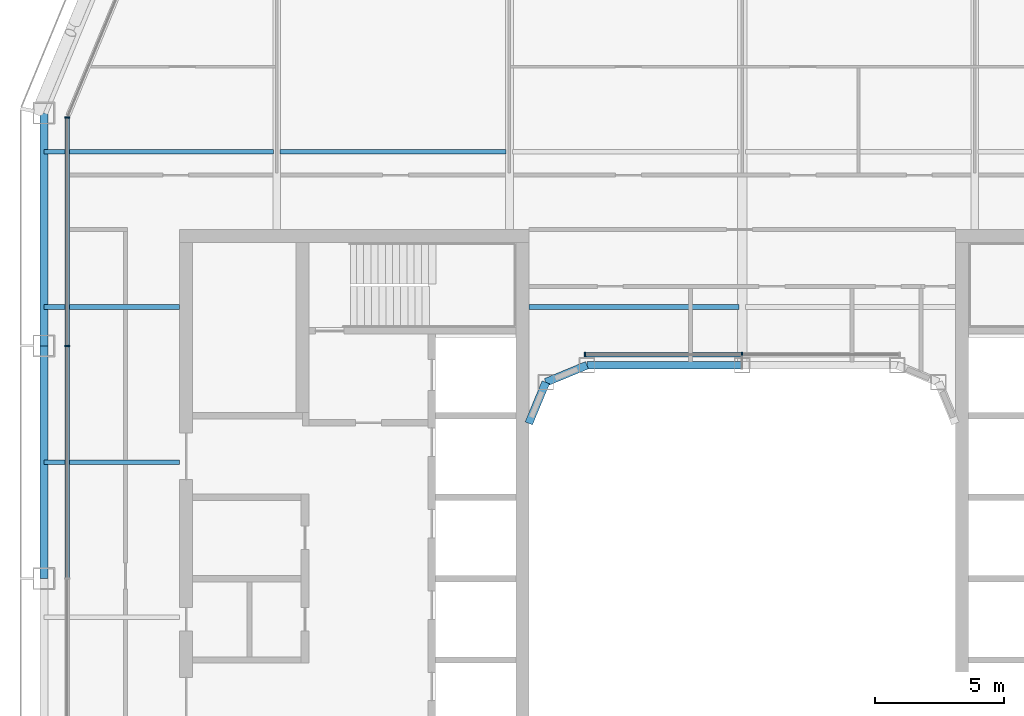
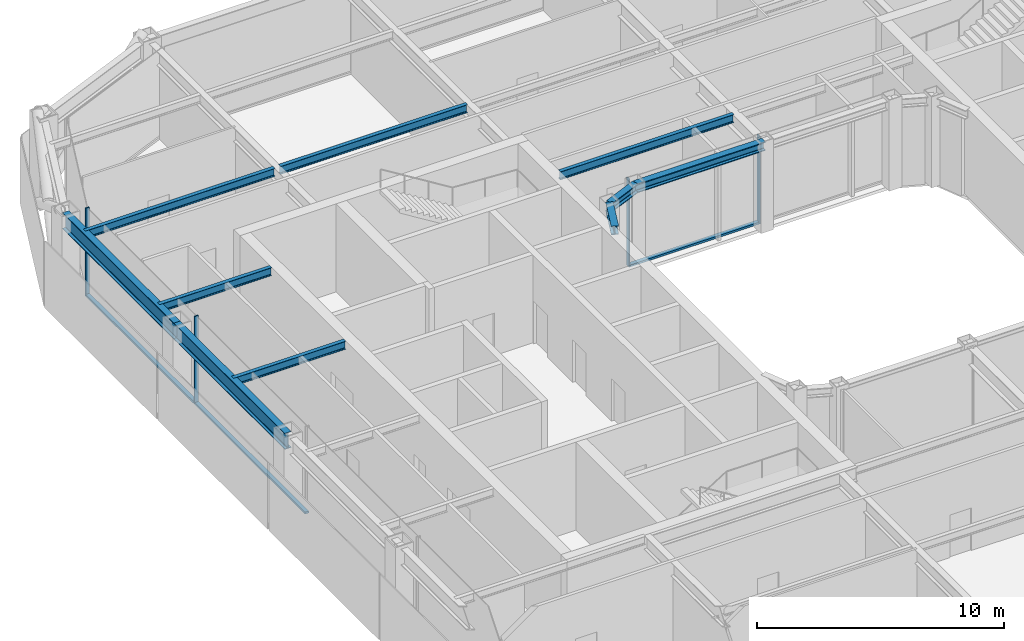
# One storey, part 6 of 22: 10 beams, 7 members, 2 elements without a shape of their own.
"""IFC4 building model written with IfcOpenShell, lengths in metres."""

from ifc_helpers import new_model, si_unit, direction, frame, origin, origin_2d, place, context, subcontext, project, spatial, rectangle, i_section, extrude, material, layer, layer_set, material_profile, profile_set, type_object, element, aggregate, save


model = new_model("IFC4")

# Units and contexts
model_context = context("Model", 3, precision=1e-05, world=origin(), true_north=direction((0.0, 1.0)))
body_context = subcontext(model_context, "Body", "Model", "MODEL_VIEW")
ifc_project = project(units=[si_unit("LENGTHUNIT", "METRE"), si_unit("AREAUNIT", "SQUARE_METRE"), si_unit("VOLUMEUNIT", "CUBIC_METRE"), si_unit("PLANEANGLEUNIT", "RADIAN"), si_unit("MASSUNIT", "GRAM", prefix="KILO")], contexts=[model_context])

# Site, building, storey
site_placement = place(None, origin())
site = spatial("IfcSite", under=ifc_project, at=site_placement, CompositionType="ELEMENT")
building_placement = place(site_placement, origin())
building = spatial("IfcBuilding", under=site, at=building_placement, Name="Siwar Civic Tower", CompositionType="ELEMENT")
storey_placement = place(building_placement, frame((0.0, 0.0, 201.699951171875)))
storey = spatial("IfcBuildingStorey", under=building, at=storey_placement, Name="L43", CompositionType="ELEMENT", Elevation=201.699951171875)

# Curtain wall, members
ifc_material_1 = material(Name="Aluminium and glass", Category="aluminium")
ifc_layer_1 = layer(ifc_material_1, 0.179931640625)
ifc_layer_set_1 = layer_set([ifc_layer_1], Name="Aluminium and glass")
curtain_wall_type_1 = type_object("IfcCurtainWallType", Name="ENV-CW-C", PredefinedType="NOTDEFINED", material=ifc_layer_set_1)
curtain_wall_1_placement = place(storey_placement, origin())
curtain_wall_1 = element("IfcCurtainWall", 1, at=curtain_wall_1_placement, inside=storey, type_object=curtain_wall_type_1, Name="Curtain wall C W", PredefinedType="NOTDEFINED")
ifc_material_2 = material(Name="Aluminium 6063-T6", Category="aluminium")
ifc_material_profile_1 = material_profile(ifc_material_2, rectangle(XDim=0.179931640625, YDim=0.06005859375, at=origin_2d()), Name="AL 180x60")
ifc_profile_set_1 = profile_set([ifc_material_profile_1], Name="Aluminium 6063-T6")
member_type_1 = type_object("IfcMemberType", Name="ENV-MULLION-C", PredefinedType="MULLION", material=ifc_profile_set_1)
member_1_placement = place(storey_placement, frame((-26.10009765625, 17.821044921875, 0.0), z_axis=(0.0, 0.0, 1.0), x_axis=(1.0, 0.0, 0.0)))
member_1 = element("IfcMember", 2, at=member_1_placement, type_object=member_type_1, Name="Mullion C W 1", PredefinedType="MULLION", context=body_context, shape_type="SweptSolid", body=[
    extrude(rectangle(XDim=0.179931640625, YDim=0.06005859375, at=origin_2d()), origin(), (0.0, 0.0, 1.0), 4.35009765625),
])
member_2_placement = place(storey_placement, frame((-26.10009765625, 9.0, 0.0), z_axis=(0.0, 0.0, 1.0), x_axis=(1.0, 0.0, 0.0)))
member_2 = element("IfcMember", 3, at=member_2_placement, type_object=member_type_1, Name="Mullion C W 2", PredefinedType="MULLION", context=body_context, shape_type="SweptSolid", body=[
    extrude(rectangle(XDim=0.179931640625, YDim=0.06005859375, at=origin_2d()), origin(), (0.0, 0.0, 1.0), 4.35009765625),
])

ifc_material_3 = material(Name="Aluminium and glass", Category="aluminium")
ifc_layer_2 = layer(ifc_material_3, 0.179931640625)
ifc_layer_set_2 = layer_set([ifc_layer_2], Name="Aluminium and glass")
curtain_wall_type_2 = type_object("IfcCurtainWallType", Name="ENV-CW-W", PredefinedType="NOTDEFINED", material=ifc_layer_set_2)
curtain_wall_2_placement = place(storey_placement, origin())
curtain_wall_2 = element("IfcCurtainWall", 4, at=curtain_wall_2_placement, inside=storey, type_object=curtain_wall_type_2, Name="Curtain wall W WN", PredefinedType="NOTDEFINED")
ifc_material_4 = material(Name="Aluminium 6063-T6", Category="aluminium")
ifc_material_profile_2 = material_profile(ifc_material_4, rectangle(XDim=0.179931640625, YDim=0.06005859375, at=origin_2d()), Name="AL 180x60")
ifc_profile_set_2 = profile_set([ifc_material_profile_2], Name="Aluminium 6063-T6")
member_type_2 = type_object("IfcMemberType", Name="ENV-MULLION-W", PredefinedType="MULLION", material=ifc_profile_set_2)
member_3_placement = place(storey_placement, frame((0.0, 8.659912109375, 0.0), z_axis=(0.0, 0.0, 1.0), x_axis=(0.0, -1.0, 0.0)))
member_3 = element("IfcMember", 5, at=member_3_placement, type_object=member_type_2, Name="Mullion W WN 2", PredefinedType="MULLION", context=body_context, shape_type="SweptSolid", body=[
    extrude(rectangle(XDim=0.179931640625, YDim=0.06005859375, at=origin_2d()), origin(), (0.0, 0.0, 1.0), 4.35009765625),
])
member_4_placement = place(storey_placement, frame((-6.08154296875, 8.659912109375, 0.0), z_axis=(0.0, 0.0, 1.0), x_axis=(0.0, -1.0, 0.0)))
member_4 = element("IfcMember", 6, at=member_4_placement, type_object=member_type_2, Name="Mullion W WN 3", PredefinedType="MULLION", context=body_context, shape_type="SweptSolid", body=[
    extrude(rectangle(XDim=0.179931640625, YDim=0.06005859375, at=origin_2d()), origin(), (0.0, 0.0, 1.0), 4.35009765625),
])

# Member
ifc_material_5 = material(Name="Aluminium 6063-T6", Category="aluminium")
ifc_material_profile_3 = material_profile(ifc_material_5, rectangle(XDim=0.179931640625, YDim=0.10009765625, at=origin_2d()), Name="AL 180x100")
ifc_profile_set_3 = profile_set([ifc_material_profile_3], Name="Aluminium 6063-T6")
member_type_3 = type_object("IfcMemberType", Name="ENV-TRANSOM-C", PredefinedType="USERDEFINED", material=ifc_profile_set_3)
member_5_placement = place(storey_placement, frame((-26.10009765625, 17.791015625, 0.050048828125), z_axis=(0.0, -1.0, 0.0), x_axis=(1.0, 0.0, 0.0)))
member_5 = element("IfcMember", 7, at=member_5_placement, type_object=member_type_3, Name="Transom C W 1", ObjectType="TRANSOM", PredefinedType="USERDEFINED", context=body_context, shape_type="SweptSolid", body=[
    extrude(rectangle(XDim=0.179931640625, YDim=0.10009765625, at=origin_2d()), origin(), (0.0, 0.0, 1.0), 8.760986328125),
])

member_6_placement = place(storey_placement, frame((-26.10009765625, 8.969970703125, 0.050048828125), z_axis=(0.0, -1.0, 0.0), x_axis=(1.0, 0.0, 0.0)))
member_6 = element("IfcMember", 8, at=member_6_placement, type_object=member_type_3, Name="Transom C W 2", ObjectType="TRANSOM", PredefinedType="USERDEFINED", context=body_context, shape_type="SweptSolid", body=[
    extrude(rectangle(XDim=0.179931640625, YDim=0.10009765625, at=origin_2d()), origin(), (0.0, 0.0, 1.0), 8.93994140625),
])

aggregate(curtain_wall_1, [member_1, member_2, member_5, member_6])

ifc_material_6 = material(Name="Aluminium 6063-T6", Category="aluminium")
ifc_material_profile_4 = material_profile(ifc_material_6, rectangle(XDim=0.179931640625, YDim=0.10009765625, at=origin_2d()), Name="AL 180x100")
ifc_profile_set_4 = profile_set([ifc_material_profile_4], Name="Aluminium 6063-T6")
member_type_4 = type_object("IfcMemberType", Name="ENV-TRANSOM-W", PredefinedType="USERDEFINED", material=ifc_profile_set_4)
member_7_placement = place(storey_placement, frame((-0.030029296875, 8.659912109375, 0.050048828125), z_axis=(-1.0, 0.0, 0.0), x_axis=(0.0, -1.0, 0.0)))
member_7 = element("IfcMember", 9, at=member_7_placement, type_object=member_type_4, Name="Transom W WN 2", ObjectType="TRANSOM", PredefinedType="USERDEFINED", context=body_context, shape_type="SweptSolid", body=[
    extrude(rectangle(XDim=0.179931640625, YDim=0.10009765625, at=origin_2d()), origin(), (0.0, 0.0, 1.0), 6.021484375),
])

aggregate(curtain_wall_2, [member_3, member_4, member_7])

# Beams
ifc_material_7 = material(Name="Steel S355", Category="steel")
ifc_material_profile_5 = material_profile(ifc_material_7, i_section(OverallWidth=0.179931640625, OverallDepth=0.39990234375, WebThickness=0.008544921875, FlangeThickness=0.013427734375, FilletRadius=0.02099609375, at=origin_2d()), Name="IPE400")
ifc_profile_set_5 = profile_set([ifc_material_profile_5], Name="Steel S355")
beam_type_1 = type_object("IfcBeamType", Name="STR-FB-IPE400", PredefinedType="JOIST", material=ifc_profile_set_5)
for number, where, z_axis, x_axis, name in (
    (10, (-27.0, 4.5, 4.150146484375), (1.0, 0.0, 0.0), (0.0, 1.0, 0.0), "L43/bm/F025"),
    (11, (-27.0, 10.5, 4.150146484375), (1.0, 0.0, 0.0), (0.0, 1.0, 0.0), "L43/bm/F027"),
):
    element("IfcBeam", number, at=place(storey_placement, frame(where, z_axis=z_axis, x_axis=x_axis)), inside=storey, type_object=beam_type_1, Name=name, PredefinedType="JOIST", context=body_context, shape_type="SweptSolid", body=[
        extrude(i_section(OverallWidth=0.179931640625, OverallDepth=0.39990234375, WebThickness=0.008544921875, FlangeThickness=0.013427734375, FilletRadius=0.02099609375, at=origin_2d()), origin(), (0.0, 0.0, 1.0), 5.25),
    ])
beam_1_placement = place(storey_placement, frame((-8.25, 10.5, 4.150146484375), z_axis=(1.0, 0.0, 0.0), x_axis=(0.0, 1.0, 0.0)))
element("IfcBeam", 12, at=beam_1_placement, inside=storey, type_object=beam_type_1, Name="L43/bm/F028", PredefinedType="JOIST", context=body_context, shape_type="SweptSolid", body=[
    extrude(i_section(OverallWidth=0.179931640625, OverallDepth=0.39990234375, WebThickness=0.008544921875, FlangeThickness=0.013427734375, FilletRadius=0.02099609375, at=origin_2d()), origin(), (0.0, 0.0, 1.0), 8.1201171875),
])
beam_2_placement = place(storey_placement, frame((-27.0, 16.5, 4.150146484375), z_axis=(1.0, 0.0, 0.0), x_axis=(0.0, 1.0, 0.0)))
element("IfcBeam", 13, at=beam_2_placement, inside=storey, type_object=beam_type_1, Name="L43/bm/F031", PredefinedType="JOIST", context=body_context, shape_type="SweptSolid", body=[
    extrude(i_section(OverallWidth=0.179931640625, OverallDepth=0.39990234375, WebThickness=0.008544921875, FlangeThickness=0.013427734375, FilletRadius=0.02099609375, at=origin_2d()), origin(), (0.0, 0.0, 1.0), 8.8701171875),
])
beam_3_placement = place(storey_placement, frame((-17.8701171875, 16.5, 4.150146484375), z_axis=(1.0, 0.0, 0.0), x_axis=(0.0, 1.0, 0.0)))
element("IfcBeam", 14, at=beam_3_placement, inside=storey, type_object=beam_type_1, Name="L43/bm/F032", PredefinedType="JOIST", context=body_context, shape_type="SweptSolid", body=[
    extrude(i_section(OverallWidth=0.179931640625, OverallDepth=0.39990234375, WebThickness=0.008544921875, FlangeThickness=0.013427734375, FilletRadius=0.02099609375, at=origin_2d()), origin(), (0.0, 0.0, 1.0), 8.740234375),
])
ifc_material_8 = material(Name="Steel S355", Category="steel")
ifc_material_profile_6 = material_profile(ifc_material_8, i_section(OverallWidth=0.306884765625, OverallDepth=0.431884765625, WebThickness=0.02099609375, FlangeThickness=0.0400390625, FilletRadius=0.027099609375, at=origin_2d()), Name="HEM400")
ifc_profile_set_6 = profile_set([ifc_material_profile_6], Name="Steel S355")
beam_type_2 = type_object("IfcBeamType", Name="STR-RB-HEM400", PredefinedType="BEAM", material=ifc_profile_set_6)
beam_4_placement = place(storey_placement, frame((-7.591064453125, 7.591064453125, 4.134033203125), z_axis=(0.923901072997, 0.382631424892, 0.0), x_axis=(-0.382631424892, 0.923901072997, 0.0)))
element("IfcBeam", 15, at=beam_4_placement, inside=storey, type_object=beam_type_2, Name="L43/bm/RN0", PredefinedType="BEAM", context=body_context, shape_type="SweptSolid", body=[
    extrude(i_section(OverallWidth=0.306884765625, OverallDepth=0.431884765625, WebThickness=0.02099609375, FlangeThickness=0.0400390625, FilletRadius=0.027099609375, at=origin_2d()), origin(), (0.0, 0.0, 1.0), 1.72216796875),
])
beam_5_placement = place(storey_placement, frame((-6.0, 8.25, 4.134033203125), z_axis=(1.0, 0.0, 0.0), x_axis=(0.0, 1.0, 0.0)))
element("IfcBeam", 16, at=beam_5_placement, inside=storey, type_object=beam_type_2, Name="L43/bm/RN1", PredefinedType="BEAM", context=body_context, shape_type="SweptSolid", body=[
    extrude(i_section(OverallWidth=0.306884765625, OverallDepth=0.431884765625, WebThickness=0.02099609375, FlangeThickness=0.0400390625, FilletRadius=0.027099609375, at=origin_2d()), origin(), (0.0, 0.0, 1.0), 6.0),
])
beam_6_placement = place(storey_placement, frame((-7.591064453125, 7.591064453125, 4.134033203125), z_axis=(-0.382631424892, -0.923901072997, 0.0), x_axis=(0.923901072997, -0.382631424892, 0.0)))
element("IfcBeam", 17, at=beam_6_placement, inside=storey, type_object=beam_type_2, Name="L43/bm/RNEW", PredefinedType="BEAM", context=body_context, shape_type="SweptSolid", body=[
    extrude(i_section(OverallWidth=0.306884765625, OverallDepth=0.431884765625, WebThickness=0.02099609375, FlangeThickness=0.0400390625, FilletRadius=0.027099609375, at=origin_2d()), origin(), (0.0, 0.0, 1.0), 1.72216796875),
])
ifc_material_9 = material(Name="Steel S355", Category="steel")
ifc_material_profile_7 = material_profile(ifc_material_9, i_section(OverallWidth=0.300048828125, OverallDepth=0.800048828125, WebThickness=0.017578125, FlangeThickness=0.032958984375, FilletRadius=0.030029296875, at=origin_2d()), Name="HEB800")
ifc_profile_set_7 = profile_set([ifc_material_profile_7], Name="Steel S355")
beam_type_3 = type_object("IfcBeamType", Name="STR-SB-HEB800", PredefinedType="BEAM", material=ifc_profile_set_7)
for number, where, z_axis, x_axis, name in (
    (18, (-27.0, 18.0, 3.949951171875), (0.0, -1.0, 0.0), (1.0, 0.0, 0.0), "L43/bm/SW-0"),
    (19, (-27.0, 9.0, 3.949951171875), (0.0, -1.0, 0.0), (1.0, 0.0, 0.0), "L43/bm/SW-1"),
):
    element("IfcBeam", number, at=place(storey_placement, frame(where, z_axis=z_axis, x_axis=x_axis)), inside=storey, type_object=beam_type_3, Name=name, PredefinedType="BEAM", context=body_context, shape_type="SweptSolid", body=[
        extrude(i_section(OverallWidth=0.300048828125, OverallDepth=0.800048828125, WebThickness=0.017578125, FlangeThickness=0.032958984375, FilletRadius=0.030029296875, at=origin_2d()), origin(), (0.0, 0.0, 1.0), 9.0),
    ])

save(model, "model.ifc")
